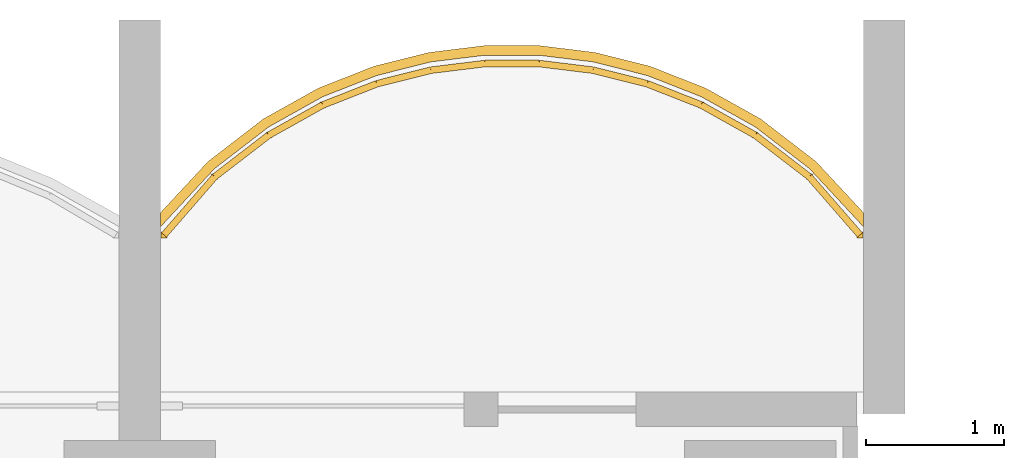
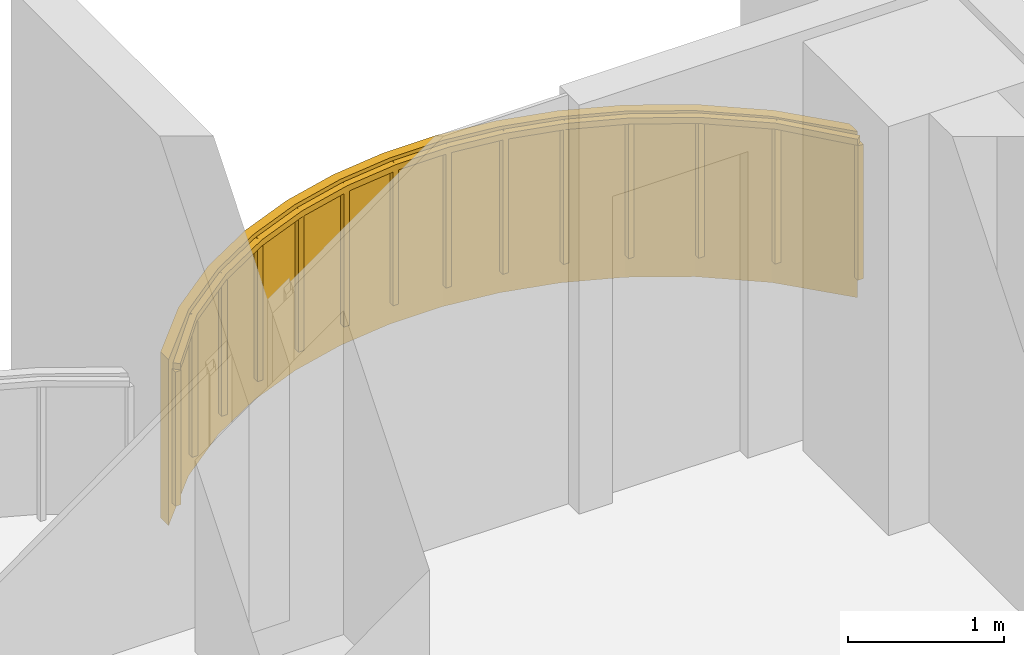
# One storey, part 19 of 19: 1 covering, 1 railing.
"""IFC4 building model written with IfcOpenShell, lengths in metres."""

from ifc_helpers import new_model, si_unit, direction, frame, origin, origin_2d, place, context, subcontext, project, spatial, polyline, rectangle, outline, extrude, material, layer, layer_set, type_object, element, save


model = new_model("IFC4")

# Units and contexts
model_context = context("Model", 3, precision=1e-05, world=origin(), true_north=direction((0.0, 1.0)))
body_context = subcontext(model_context, "Body", "Model", "MODEL_VIEW")
ifc_project = project(units=[si_unit("LENGTHUNIT", "METRE"), si_unit("AREAUNIT", "SQUARE_METRE"), si_unit("VOLUMEUNIT", "CUBIC_METRE"), si_unit("PLANEANGLEUNIT", "RADIAN"), si_unit("MASSUNIT", "GRAM", prefix="KILO")], contexts=[model_context])

# Site, building, storey
site_placement = place(None, origin())
site = spatial("IfcSite", under=ifc_project, at=site_placement, CompositionType="ELEMENT")
building_placement = place(site_placement, origin())
building = spatial("IfcBuilding", under=site, at=building_placement, Name="Perihelion Cross Residences", CompositionType="ELEMENT")
storey_placement = place(building_placement, frame((0.0, 0.0, 151.39990234375)))
storey = spatial("IfcBuildingStorey", under=building, at=storey_placement, Name="L37", CompositionType="ELEMENT", Elevation=151.39990234375)

# Covering
ifc_material_1 = material(Name="Bronze anodised aluminium", Category="aluminium")
ifc_layer = layer(ifc_material_1, 0.070068359375)
ifc_layer_set = layer_set([ifc_layer], Name="Balcony fascia 1300")
covering_type = type_object("IfcCoveringType", Name="Balcony fascia 1300", PredefinedType="CLADDING", material=ifc_layer_set)
covering_placement = place(storey_placement, frame((0.0, 0.0, -0.199951171875)))
element("IfcCovering", 1, at=covering_placement, inside=storey, type_object=covering_type, Name="Fascia BF1 L37 north tip north bay 1", PredefinedType="CLADDING", context=body_context, shape_type="SweptSolid", body=[
    extrude(outline(polyline([(4.90478515625, 28.674072265625), (4.50390625, 28.982666015625), (4.10302734375, 29.20654296875), (3.7021484375, 29.364013671875), (3.30126953125, 29.464599609375), (2.900390625, 29.513916015625), (2.49951171875, 29.513916015625), (2.0986328125, 29.464599609375), (1.69775390625, 29.364013671875), (1.296875, 29.20654296875), (0.89599609375, 28.982666015625), (0.4951171875, 28.674072265625), (0.14990234375, 28.302734375), (0.14990234375, 28.199951171875), (0.542236328125, 28.622314453125), (0.9345703125, 28.924072265625), (1.326904296875, 29.143310546875), (1.71923828125, 29.29736328125), (2.111572265625, 29.39599609375), (2.50390625, 29.444091796875), (2.896240234375, 29.444091796875), (3.28857421875, 29.39599609375), (3.6806640625, 29.29736328125), (4.072998046875, 29.143310546875), (4.46533203125, 28.924072265625), (4.857666015625, 28.622314453125), (5.25, 28.199951171875), (5.25, 28.302734375), (4.90478515625, 28.674072265625)])), origin(), (0.0, 0.0, 1.0), 1.300048828125),
])

# Railing
ifc_material_2 = material(Name="Bronze anodised aluminium", Category="aluminium")
railing_type = type_object("IfcRailingType", Name="Balcony guard 1100", PredefinedType="GUARDRAIL", material=ifc_material_2)
railing_placement = place(storey_placement, frame((5.22509765625, 28.139892578125, 0.0)))
element("IfcRailing", 2, at=railing_placement, inside=storey, type_object=railing_type, Name="Guard GU1 L37 north tip north bay 1 balcony", PredefinedType="GUARDRAIL", context=body_context, shape_type="SweptSolid", body=[
    extrude(rectangle(XDim=0.048095703125, YDim=0.048095703125, at=origin_2d()), frame((0.0, 0.0, 1.076171875), z_axis=(-0.656340655493, 0.754464673757, 0.0), x_axis=(-0.754464673757, -0.656340655493, 0.0)), (0.0, 0.0, 1.0), 0.559814453125),
    extrude(rectangle(XDim=0.048095703125, YDim=0.048095703125, at=origin_2d()), frame((-0.367431640625, 0.42236328125, 1.076171875), z_axis=(-0.792660660899, 0.60966308455, 0.0), x_axis=(-0.60966308455, -0.792660660899, 0.0)), (0.0, 0.0, 1.0), 0.494873046875),
    extrude(rectangle(XDim=0.048095703125, YDim=0.048095703125, at=origin_2d()), frame((-0.759765625, 0.72412109375, 1.076171875), z_axis=(-0.872950285698, 0.487809182674, 0.0), x_axis=(-0.487809182674, -0.872950285698, 0.0)), (0.0, 0.0, 1.0), 0.449462890625),
    extrude(rectangle(XDim=0.048095703125, YDim=0.048095703125, at=origin_2d()), frame((-1.152099609375, 0.943359375, 1.076171875), z_axis=(-0.930814842219, 0.365491079925, 0.0), x_axis=(-0.365491079925, -0.930814842219, 0.0)), (0.0, 0.0, 1.0), 0.42138671875),
    extrude(rectangle(XDim=0.048095703125, YDim=0.048095703125, at=origin_2d()), frame((-1.54443359375, 1.097412109375, 1.076171875), z_axis=(-0.969786252666, 0.243956193074, 0.0), x_axis=(-0.243956193074, -0.969786252666, 0.0)), (0.0, 0.0, 1.0), 0.404296875),
    extrude(rectangle(XDim=0.048095703125, YDim=0.048095703125, at=origin_2d()), frame((-1.9365234375, 1.196044921875, 1.076171875), z_axis=(-0.992569651699, 0.121677797999, 0.0), x_axis=(-0.121677797999, -0.992569651699, 0.0)), (0.0, 0.0, 1.0), 0.395263671875),
    extrude(rectangle(XDim=0.048095703125, YDim=0.048095703125, at=origin_2d()), frame((-2.328857421875, 1.244140625, 1.076171875), z_axis=(-1.0, 0.0, 0.0), x_axis=(0.0, -1.0, 0.0)), (0.0, 0.0, 1.0), 0.392333984375),
    extrude(rectangle(XDim=0.048095703125, YDim=0.048095703125, at=origin_2d()), frame((-2.72119140625, 1.244140625, 1.076171875), z_axis=(-0.992569651699, -0.121677797999, 0.0), x_axis=(0.121677797999, -0.992569651699, 0.0)), (0.0, 0.0, 1.0), 0.395263671875),
    extrude(rectangle(XDim=0.048095703125, YDim=0.048095703125, at=origin_2d()), frame((-3.113525390625, 1.196044921875, 1.076171875), z_axis=(-0.969822159145, -0.243813411509, 0.0), x_axis=(0.243813411509, -0.969822159145, 0.0)), (0.0, 0.0, 1.0), 0.404541015625),
    extrude(rectangle(XDim=0.048095703125, YDim=0.048095703125, at=origin_2d()), frame((-3.505859375, 1.097412109375, 1.076171875), z_axis=(-0.930814842219, -0.365491079925, 0.0), x_axis=(0.365491079925, -0.930814842219, 0.0)), (0.0, 0.0, 1.0), 0.42138671875),
    extrude(rectangle(XDim=0.048095703125, YDim=0.048095703125, at=origin_2d()), frame((-3.898193359375, 0.943359375, 1.076171875), z_axis=(-0.872950285698, -0.487809182674, 0.0), x_axis=(0.487809182674, -0.872950285698, 0.0)), (0.0, 0.0, 1.0), 0.449462890625),
    extrude(rectangle(XDim=0.048095703125, YDim=0.048095703125, at=origin_2d()), frame((-4.29052734375, 0.72412109375, 1.076171875), z_axis=(-0.792660660899, -0.60966308455, 0.0), x_axis=(0.60966308455, -0.792660660899, 0.0)), (0.0, 0.0, 1.0), 0.494873046875),
    extrude(rectangle(XDim=0.048095703125, YDim=0.048095703125, at=origin_2d()), frame((-4.682861328125, 0.42236328125, 1.076171875), z_axis=(-0.656092309534, -0.754680648599, 0.0), x_axis=(0.754680648599, -0.656092309534, 0.0)), (0.0, 0.0, 1.0), 0.5595703125),
    extrude(rectangle(XDim=0.0419921875, YDim=0.0419921875, at=origin_2d()), origin(), (0.0, 0.0, 1.0), 1.052001953125),
    extrude(rectangle(XDim=0.0419921875, YDim=0.0419921875, at=origin_2d()), frame((-0.367431640625, 0.42236328125, 0.0)), (0.0, 0.0, 1.0), 1.052001953125),
    extrude(rectangle(XDim=0.0419921875, YDim=0.0419921875, at=origin_2d()), frame((-0.759765625, 0.72412109375, 0.0)), (0.0, 0.0, 1.0), 1.052001953125),
    extrude(rectangle(XDim=0.0419921875, YDim=0.0419921875, at=origin_2d()), frame((-1.152099609375, 0.943359375, 0.0)), (0.0, 0.0, 1.0), 1.052001953125),
    extrude(rectangle(XDim=0.0419921875, YDim=0.0419921875, at=origin_2d()), frame((-1.54443359375, 1.097412109375, 0.0)), (0.0, 0.0, 1.0), 1.052001953125),
    extrude(rectangle(XDim=0.0419921875, YDim=0.0419921875, at=origin_2d()), frame((-1.9365234375, 1.196044921875, 0.0)), (0.0, 0.0, 1.0), 1.052001953125),
    extrude(rectangle(XDim=0.0419921875, YDim=0.0419921875, at=origin_2d()), frame((-2.328857421875, 1.244140625, 0.0)), (0.0, 0.0, 1.0), 1.052001953125),
    extrude(rectangle(XDim=0.0419921875, YDim=0.0419921875, at=origin_2d()), frame((-2.72119140625, 1.244140625, 0.0)), (0.0, 0.0, 1.0), 1.052001953125),
    extrude(rectangle(XDim=0.0419921875, YDim=0.0419921875, at=origin_2d()), frame((-3.113525390625, 1.196044921875, 0.0)), (0.0, 0.0, 1.0), 1.052001953125),
    extrude(rectangle(XDim=0.0419921875, YDim=0.0419921875, at=origin_2d()), frame((-3.505859375, 1.097412109375, 0.0)), (0.0, 0.0, 1.0), 1.052001953125),
    extrude(rectangle(XDim=0.0419921875, YDim=0.0419921875, at=origin_2d()), frame((-3.898193359375, 0.943359375, 0.0)), (0.0, 0.0, 1.0), 1.052001953125),
    extrude(rectangle(XDim=0.0419921875, YDim=0.0419921875, at=origin_2d()), frame((-4.29052734375, 0.72412109375, 0.0)), (0.0, 0.0, 1.0), 1.052001953125),
    extrude(rectangle(XDim=0.0419921875, YDim=0.0419921875, at=origin_2d()), frame((-4.682861328125, 0.42236328125, 0.0)), (0.0, 0.0, 1.0), 1.052001953125),
    extrude(rectangle(XDim=0.0419921875, YDim=0.0419921875, at=origin_2d()), frame((-5.050048828125, 0.0, 0.0)), (0.0, 0.0, 1.0), 1.052001953125),
])

save(model, "model.ifc")
